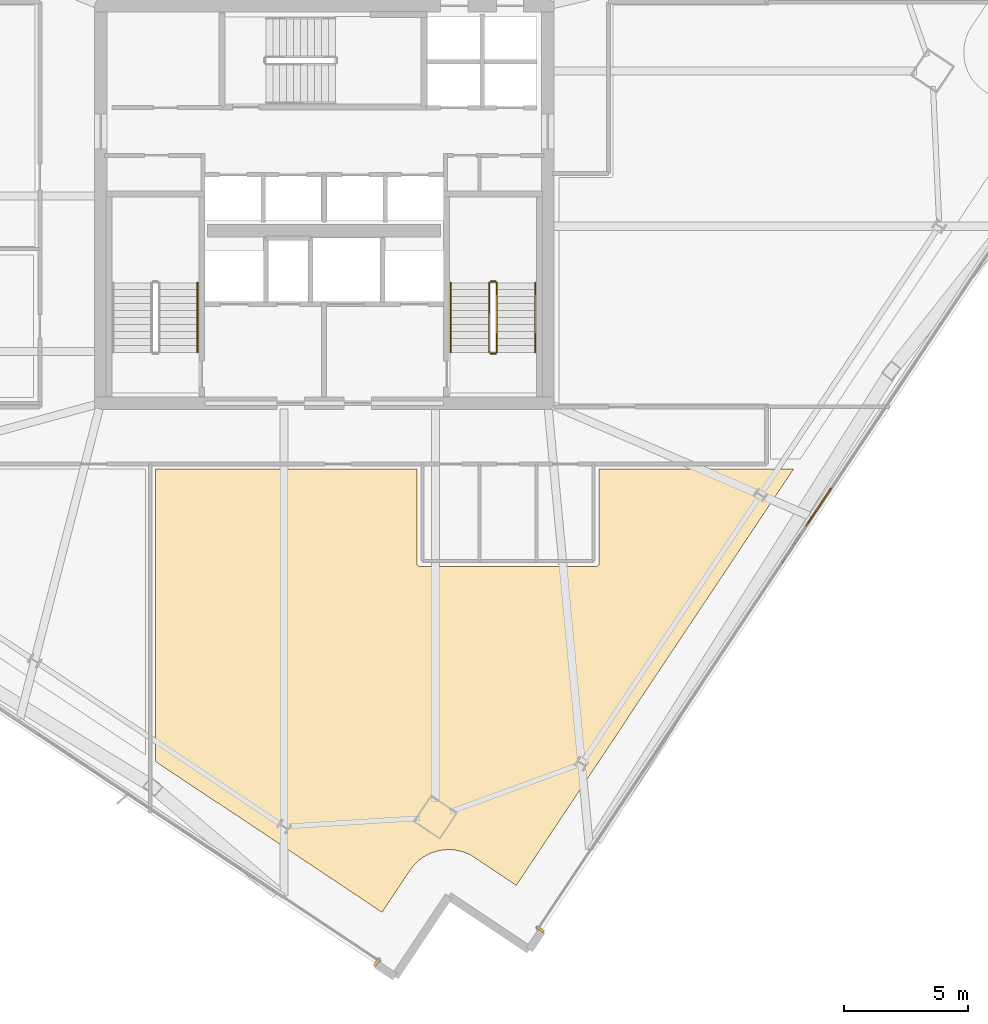
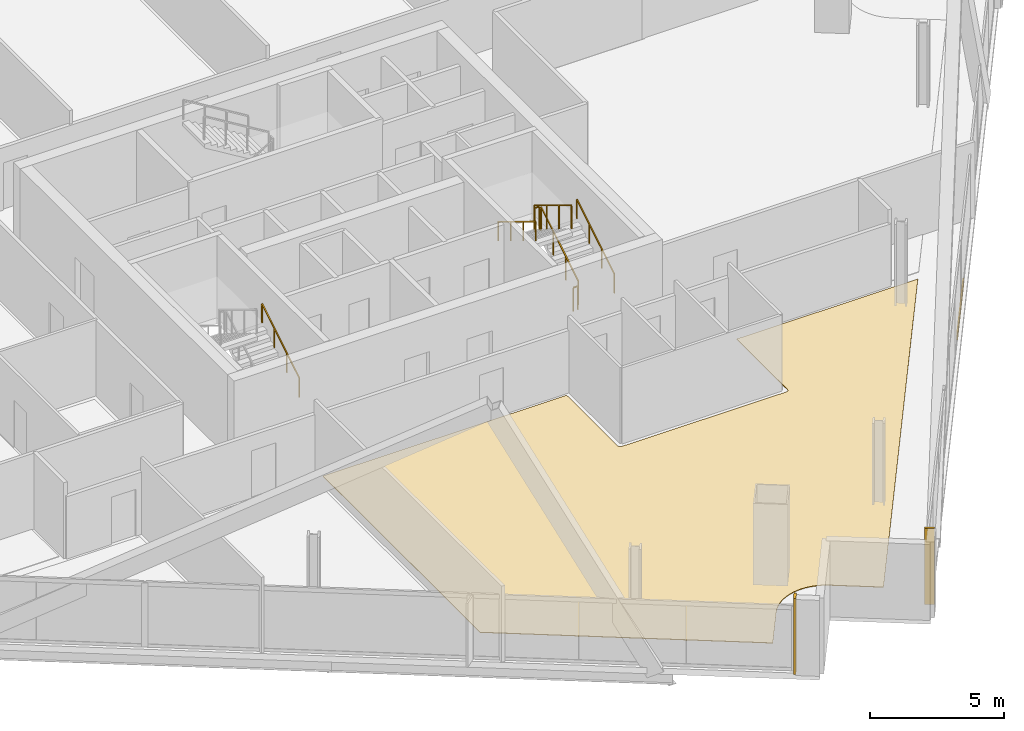
# One storey, part 29 of 32: 7 railings, 4 coverings.
"""IFC4 building model written with IfcOpenShell, lengths in metres."""

from ifc_helpers import new_model, si_unit, direction, frame, origin, origin_2d, place, context, subcontext, project, spatial, polyline, rectangle, outline, extrude, source, transform, mapped, material, layer, layer_set, type_object, element, save


model = new_model("IFC4")

# Units and contexts
model_context = context("Model", 3, precision=1e-05, world=origin(), true_north=direction((0.0, 1.0)))
body_context = subcontext(model_context, "Body", "Model", "MODEL_VIEW")
ifc_project = project(units=[si_unit("LENGTHUNIT", "METRE"), si_unit("AREAUNIT", "SQUARE_METRE"), si_unit("VOLUMEUNIT", "CUBIC_METRE"), si_unit("PLANEANGLEUNIT", "RADIAN"), si_unit("MASSUNIT", "GRAM", prefix="KILO")], contexts=[model_context])

# Site, building, storey
site_placement = place(None, origin())
site = spatial("IfcSite", under=ifc_project, at=site_placement, CompositionType="ELEMENT")
building_placement = place(site_placement, origin())
building = spatial("IfcBuilding", under=site, at=building_placement, Name="Haldenkirk Collegiate Tower", CompositionType="ELEMENT")
storey_placement = place(building_placement, frame((0.0, 0.0, 217.199951171875)))
storey = spatial("IfcBuildingStorey", under=building, at=storey_placement, Name="L54", CompositionType="ELEMENT", Elevation=217.199951171875)

# Covering
ifc_material_1 = material(Name="Polished collegiate terrazzo", Category="concrete")
ifc_layer_1 = layer(ifc_material_1, 0.02490234375)
ifc_layer_set_1 = layer_set([ifc_layer_1], Name="Polished collegiate terrazzo")
covering_type_1 = type_object("IfcCoveringType", Name="COV-FLOOR-TERRAZZO", PredefinedType="FLOORING", material=ifc_layer_set_1)
covering_1_placement = place(storey_placement, origin())
element("IfcCovering", 1, at=covering_1_placement, inside=storey, type_object=covering_type_1, Name="L54 academic room finish 04", PredefinedType="FLOORING", context=body_context, shape_type="SweptSolid", body=[
    extrude(outline(polyline([(41.19775390625, 0.01806640625), (41.18603515625, 0.019287109375), (41.014404296875, 0.02734375), (41.002685546875, 0.02734375), (40.8310546875, 0.0185546875), (40.8193359375, 0.017578125), (40.649658203125, -0.008056640625), (40.637939453125, -0.01025390625), (40.471435546875, -0.05224609375), (40.460205078125, -0.055908203125), (40.298583984375, -0.114013671875), (40.287841796875, -0.118408203125), (40.1328125, -0.192138671875), (40.122314453125, -0.19775390625), (39.97509765625, -0.286376953125), (39.96533203125, -0.29296875), (39.82763671875, -0.3955078125), (39.818603515625, -0.40283203125), (39.69140625, -0.518310546875), (39.68310546875, -0.52685546875), (39.568115234375, -0.654296875), (39.560546875, -0.663330078125), (39.45849609375, -0.801513671875), (39.455078125, -0.806396484375), (38.330322265625, -2.49609375), (29.199951171875, 3.58154296875), (29.199951171875, 15.35009765625), (39.72998046875, 15.35009765625), (39.72998046875, 11.550048828125), (39.730712890625, 11.5380859375), (39.732421875, 11.526611328125), (39.735107421875, 11.51513671875), (39.739013671875, 11.504150390625), (39.744140625, 11.493408203125), (39.750244140625, 11.4833984375), (39.757080078125, 11.473876953125), (39.76513671875, 11.465087890625), (39.77392578125, 11.457275390625), (39.783203125, 11.4501953125), (39.79345703125, 11.444091796875), (39.80419921875, 11.439208984375), (39.815185546875, 11.435302734375), (39.82666015625, 11.432373046875), (39.838134765625, 11.4306640625), (39.85009765625, 11.429931640625), (46.949951171875, 11.429931640625), (46.9619140625, 11.4306640625), (46.973388671875, 11.432373046875), (46.98486328125, 11.435302734375), (46.995849609375, 11.439208984375), (47.006591796875, 11.444091796875), (47.0166015625, 11.4501953125), (47.026123046875, 11.457275390625), (47.034912109375, 11.465087890625), (47.042724609375, 11.473876953125), (47.0498046875, 11.4833984375), (47.055908203125, 11.493408203125), (47.060791015625, 11.504150390625), (47.064697265625, 11.51513671875), (47.067626953125, 11.526611328125), (47.0693359375, 11.5380859375), (47.070068359375, 11.550048828125), (47.070068359375, 15.35009765625), (54.894775390625, 15.35009765625), (43.73779296875, -1.41064453125), (42.048095703125, -0.285888671875), (42.04296875, -0.28271484375), (41.8955078125, -0.194580078125), (41.88525390625, -0.189208984375), (41.72998046875, -0.115966796875), (41.718994140625, -0.111328125), (41.55712890625, -0.053955078125), (41.5458984375, -0.050537109375), (41.379150390625, -0.009033203125), (41.36767578125, -0.0068359375), (41.19775390625, 0.01806640625)])), origin(), (0.0, 0.0, 1.0), 0.025146484375),
])

# Railings
ifc_material_2 = material(Name="Painted architectural tubular steel", Category="steel")
railing_type_1 = type_object("IfcRailingType", Name="RLG-STAIR-GUARD-1100", PredefinedType="BALUSTRADE", material=ifc_material_2)
railing_1_placement = place(storey_placement, frame((42.949951171875, 20.050048828125, 0.17041015625)))
element("IfcRailing", 2, at=railing_1_placement, inside=storey, type_object=railing_type_1, Name="L54 ST-2 stair guard 1", PredefinedType="BALUSTRADE", context=body_context, shape_type="SweptSolid", body=[
    extrude(rectangle(XDim=0.048095703125, YDim=0.048095703125, at=origin_2d()), frame((0.0, 0.0, 1.076171875), z_axis=(0.0, 0.854169791009, 0.51999420009), x_axis=(-1.0, 0.0, 0.0)), (0.0, 0.0, 1.0), 3.278076171875),
    extrude(rectangle(XDim=0.0419921875, YDim=0.0419921875, at=origin_2d()), origin(), (0.0, 0.0, 1.0), 1.052001953125),
    extrude(rectangle(XDim=0.0419921875, YDim=0.0419921875, at=origin_2d()), frame((0.0, 0.933349609375, 0.568115234375)), (0.0, 0.0, 1.0), 1.052001953125),
    extrude(rectangle(XDim=0.0419921875, YDim=0.0419921875, at=origin_2d()), frame((0.0, 1.86669921875, 1.136474609375)), (0.0, 0.0, 1.0), 1.052001953125),
    extrude(rectangle(XDim=0.0419921875, YDim=0.0419921875, at=origin_2d()), frame((0.0, 2.800048828125, 1.70458984375)), (0.0, 0.0, 1.0), 1.052001953125),
])
railing_2_placement = place(storey_placement, frame((42.89990234375, 22.89990234375, 1.875)))
element("IfcRailing", 3, at=railing_2_placement, inside=storey, type_object=railing_type_1, Name="L54 ST-2 stair guard 2", PredefinedType="BALUSTRADE", context=body_context, shape_type="SweptSolid", body=[
    extrude(rectangle(XDim=0.048095703125, YDim=0.048095703125, at=origin_2d()), frame((0.0, 0.0, 1.076171875), z_axis=(-1.0, 0.0, 0.0), x_axis=(0.0, -1.0, 0.0)), (0.0, 0.0, 1.0), 0.199951171875),
    extrude(rectangle(XDim=0.0419921875, YDim=0.0419921875, at=origin_2d()), origin(), (0.0, 0.0, 1.0), 1.052001953125),
    extrude(rectangle(XDim=0.0419921875, YDim=0.0419921875, at=origin_2d()), frame((-0.199951171875, 0.0, 0.0)), (0.0, 0.0, 1.0), 1.052001953125),
])
railing_3_placement = place(storey_placement, frame((42.64990234375, 22.85009765625, 2.04541015625)))
element("IfcRailing", 4, at=railing_3_placement, inside=storey, type_object=railing_type_1, Name="L54 ST-2 stair guard 3", PredefinedType="BALUSTRADE", context=body_context, shape_type="SweptSolid", body=[
    extrude(rectangle(XDim=0.048095703125, YDim=0.048095703125, at=origin_2d()), frame((0.0, 0.0, 1.076171875), z_axis=(0.0, -0.854169791009, 0.51999420009), x_axis=(1.0, 0.0, 0.0)), (0.0, 0.0, 1.0), 3.278076171875),
    extrude(rectangle(XDim=0.0419921875, YDim=0.0419921875, at=origin_2d()), origin(), (0.0, 0.0, 1.0), 1.052001953125),
    extrude(rectangle(XDim=0.0419921875, YDim=0.0419921875, at=origin_2d()), frame((0.0, -0.933349609375, 0.568115234375)), (0.0, 0.0, 1.0), 1.052001953125),
    extrude(rectangle(XDim=0.0419921875, YDim=0.0419921875, at=origin_2d()), frame((0.0, -1.86669921875, 1.136474609375)), (0.0, 0.0, 1.0), 1.052001953125),
    extrude(rectangle(XDim=0.0419921875, YDim=0.0419921875, at=origin_2d()), frame((0.0, -2.800048828125, 1.70458984375)), (0.0, 0.0, 1.0), 1.052001953125),
])
railing_4_placement = place(storey_placement, frame((42.89990234375, 20.0, 0.0)))
element("IfcRailing", 5, at=railing_4_placement, inside=storey, type_object=railing_type_1, Name="L54 ST-2 stair guard 4", PredefinedType="BALUSTRADE", context=body_context, shape_type="SweptSolid", body=[
    extrude(rectangle(XDim=0.048095703125, YDim=0.048095703125, at=origin_2d()), frame((0.0, 0.0, 1.076171875), z_axis=(-1.0, 0.0, 0.0), x_axis=(0.0, -1.0, 0.0)), (0.0, 0.0, 1.0), 0.199951171875),
    extrude(rectangle(XDim=0.0419921875, YDim=0.0419921875, at=origin_2d()), origin(), (0.0, 0.0, 1.0), 1.052001953125),
    extrude(rectangle(XDim=0.0419921875, YDim=0.0419921875, at=origin_2d()), frame((-0.199951171875, 0.0, 0.0)), (0.0, 0.0, 1.0), 1.052001953125),
])
railing_type_2 = type_object("IfcRailingType", Name="RLG-STAIR-HANDRAIL-900", PredefinedType="HANDRAIL", material=ifc_material_2)
for number, where, name in (
    (6, (30.89990234375, 20.050048828125, 0.17041015625), "L54 ST-1 stair handrail 1"),
    (7, (44.5, 20.050048828125, 0.17041015625), "L54 ST-2 stair handrail 1"),
):
    element("IfcRailing", number, at=place(storey_placement, frame(where)), inside=storey, type_object=railing_type_2, Name=name, PredefinedType="HANDRAIL", context=body_context, shape_type="SweptSolid", body=[
        extrude(rectangle(XDim=0.048095703125, YDim=0.048095703125, at=origin_2d()), frame((0.0, 0.0, 0.8759765625), z_axis=(0.0, 0.854169791009, 0.51999420009), x_axis=(-1.0, 0.0, 0.0)), (0.0, 0.0, 1.0), 3.278076171875),
        extrude(rectangle(XDim=0.0419921875, YDim=0.0419921875, at=origin_2d()), origin(), (0.0, 0.0, 1.0), 0.851806640625),
        extrude(rectangle(XDim=0.0419921875, YDim=0.0419921875, at=origin_2d()), frame((0.0, 0.933349609375, 0.568115234375)), (0.0, 0.0, 1.0), 0.851806640625),
        extrude(rectangle(XDim=0.0419921875, YDim=0.0419921875, at=origin_2d()), frame((0.0, 1.86669921875, 1.136474609375)), (0.0, 0.0, 1.0), 0.851806640625),
        extrude(rectangle(XDim=0.0419921875, YDim=0.0419921875, at=origin_2d()), frame((0.0, 2.800048828125, 1.70458984375)), (0.0, 0.0, 1.0), 0.851806640625),
    ])
railing_5_placement = place(storey_placement, frame((41.10009765625, 22.85009765625, 2.04541015625)))
element("IfcRailing", 8, at=railing_5_placement, inside=storey, type_object=railing_type_2, Name="L54 ST-2 stair handrail 2", PredefinedType="HANDRAIL", context=body_context, shape_type="SweptSolid", body=[
    extrude(rectangle(XDim=0.048095703125, YDim=0.048095703125, at=origin_2d()), frame((0.0, 0.0, 0.8759765625), z_axis=(0.0, -0.854169791009, 0.51999420009), x_axis=(1.0, 0.0, 0.0)), (0.0, 0.0, 1.0), 3.278076171875),
    extrude(rectangle(XDim=0.0419921875, YDim=0.0419921875, at=origin_2d()), origin(), (0.0, 0.0, 1.0), 0.851806640625),
    extrude(rectangle(XDim=0.0419921875, YDim=0.0419921875, at=origin_2d()), frame((0.0, -0.933349609375, 0.568115234375)), (0.0, 0.0, 1.0), 0.851806640625),
    extrude(rectangle(XDim=0.0419921875, YDim=0.0419921875, at=origin_2d()), frame((0.0, -1.86669921875, 1.136474609375)), (0.0, 0.0, 1.0), 0.851806640625),
    extrude(rectangle(XDim=0.0419921875, YDim=0.0419921875, at=origin_2d()), frame((0.0, -2.800048828125, 1.70458984375)), (0.0, 0.0, 1.0), 0.851806640625),
])

# Coverings
ifc_material_3 = material(Name="Anodised architectural bronze aluminium", Category="aluminium")
ifc_layer_2 = layer(ifc_material_3, 0.06005859375)
ifc_layer_set_2 = layer_set([ifc_layer_2], Name="Anodised architectural bronze aluminium")
covering_type_2 = type_object("IfcCoveringType", Name="COV-CLAD-BRONZE-60", PredefinedType="CLADDING", material=ifc_layer_set_2)
shared_shape_1 = source(origin(), body_context, "Body", "SweptSolid", [
    extrude(rectangle(XDim=3.60009765625, YDim=0.06005859375, at=origin_2d()), origin(), (0.0, 0.0, 1.0), 0.300048828125),
])
covering_2_placement = place(storey_placement, frame((55.41259765625, 13.077880859375, -0.2998046875), z_axis=(0.0, 0.0, 1.0), x_axis=(-0.554118199338, -0.832437998389, 0.0)))
element("IfcCovering", 9, at=covering_2_placement, inside=storey, type_object=covering_type_2, Name="L54 architectural bronze spandrel cladding S", PredefinedType="CLADDING", context=body_context, shape_type="MappedRepresentation", body=[
    mapped(shared_shape_1, transform((0.0, 0.0, 0.0), x_axis=(1.0, 0.0, 0.0), y_axis=(0.0, 1.0, 0.0), z_axis=(0.0, 0.0, 1.0), scale=1.0)),
])
shared_shape_2 = source(origin(), body_context, "Body", "SweptSolid", [
    extrude(rectangle(XDim=0.10009765625, YDim=0.3798828125, at=origin_2d()), origin(), (0.0, 0.0, 1.0), 3.469970703125),
])
for number, where, z_axis, x_axis, name in (
    (10, (44.69873046875, -3.179443359375, 0.0), (0.0, 0.0, 1.0), (-0.554118199338, -0.832437998389, 0.0), "L54 recessed curtain-wall bronze jamb closure SJR"),
    (11, (38.12646484375, -4.498779296875, 0.0), (0.0, 0.0, 1.0), (-0.832437998389, 0.554118199338, 0.0), "L54 recessed curtain-wall bronze jamb closure WJL"),
):
    element("IfcCovering", number, at=place(storey_placement, frame(where, z_axis=z_axis, x_axis=x_axis)), inside=storey, type_object=covering_type_2, Name=name, PredefinedType="CLADDING", context=body_context, shape_type="MappedRepresentation", body=[
        mapped(shared_shape_2, transform((0.0, 0.0, 0.0), x_axis=(1.0, 0.0, 0.0), y_axis=(0.0, 1.0, 0.0), z_axis=(0.0, 0.0, 1.0), scale=1.0)),
    ])

save(model, "model.ifc")
